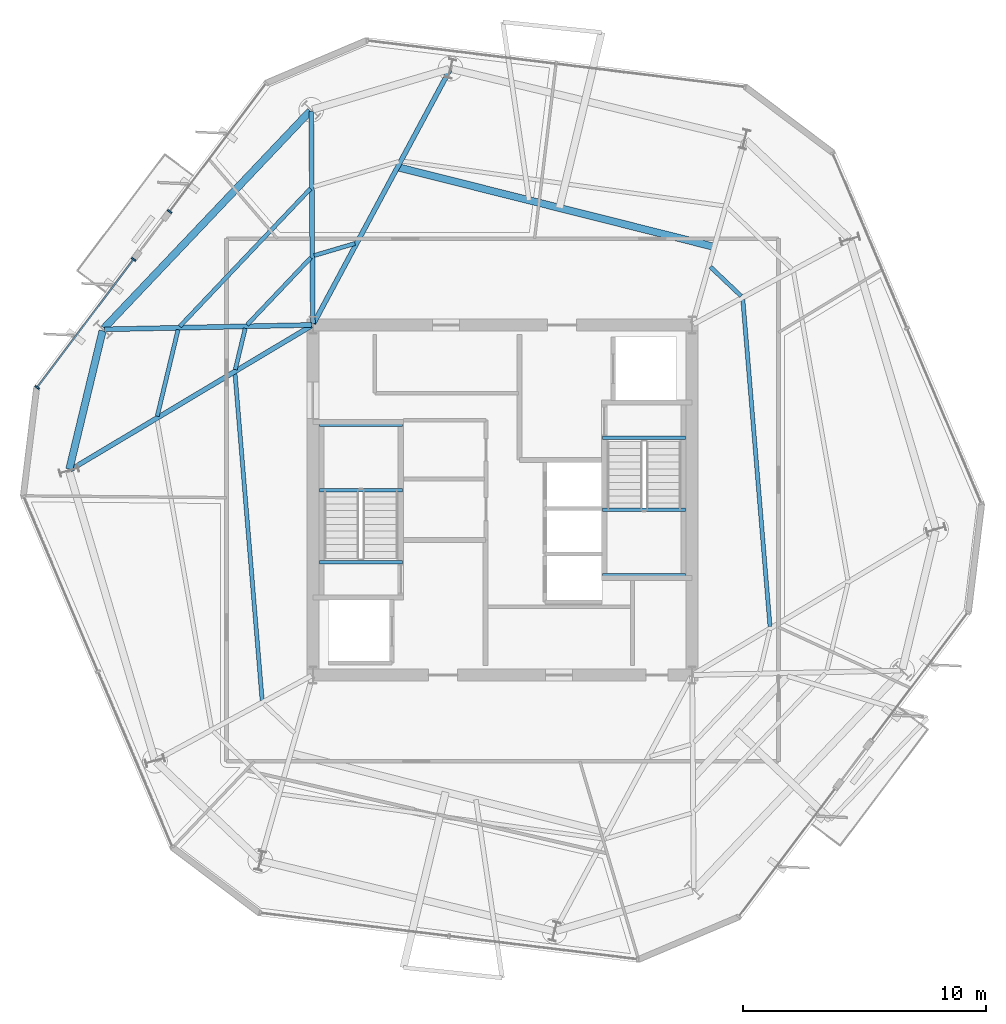
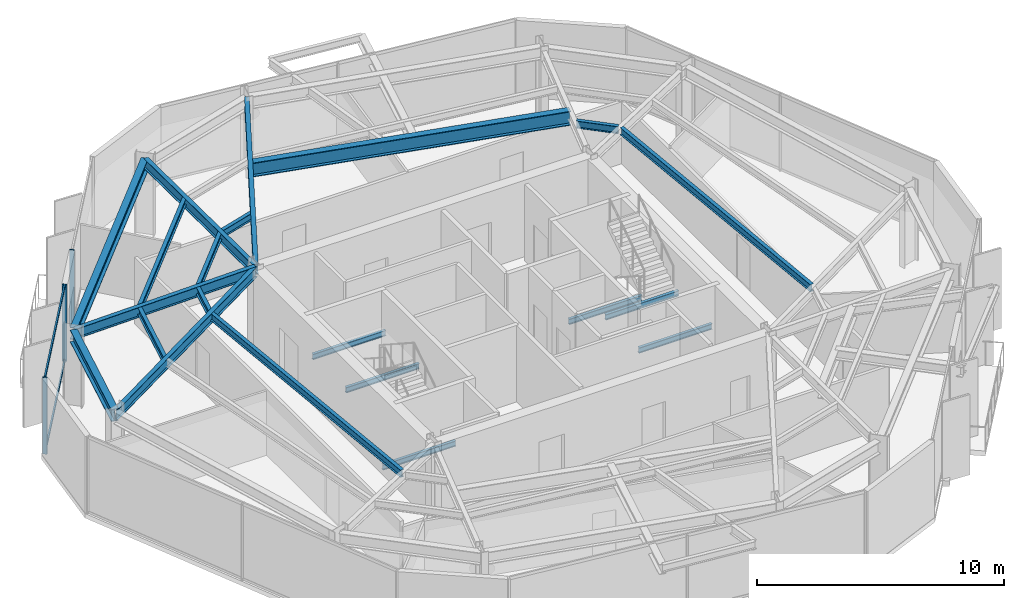
# One storey, part 4 of 12: 21 beams, 5 members, 2 elements without a shape of their own.
"""IFC4 building model written with IfcOpenShell, lengths in metres."""

from ifc_helpers import new_model, si_unit, direction, frame, origin, origin_2d, place, context, subcontext, project, spatial, rectangle, i_section, extrude, material, layer, layer_set, material_profile, profile_set, type_object, element, aggregate, save


model = new_model("IFC4")

# Units and contexts
model_context = context("Model", 3, precision=1e-05, world=origin(), true_north=direction((0.0, 1.0)))
body_context = subcontext(model_context, "Body", "Model", "MODEL_VIEW")
ifc_project = project(units=[si_unit("LENGTHUNIT", "METRE"), si_unit("AREAUNIT", "SQUARE_METRE"), si_unit("VOLUMEUNIT", "CUBIC_METRE"), si_unit("PLANEANGLEUNIT", "RADIAN"), si_unit("MASSUNIT", "GRAM", prefix="KILO")], contexts=[model_context])

# Site, building, storey
site_placement = place(None, origin())
site = spatial("IfcSite", under=ifc_project, at=site_placement, CompositionType="ELEMENT")
building_placement = place(site_placement, origin())
building = spatial("IfcBuilding", under=site, at=building_placement, Name="Kranzbogen Civic Tower", CompositionType="ELEMENT")
storey_placement = place(building_placement, frame((0.0, 0.0, 236.800048828125)))
storey = spatial("IfcBuildingStorey", under=building, at=storey_placement, Name="L57", CompositionType="ELEMENT", Elevation=236.800048828125)

# Curtain wall, member
ifc_material_1 = material(Name="Pale Anodised Aluminium", Category="aluminium")
ifc_layer = layer(ifc_material_1, 0.219970703125, Name="Pale Anodised Aluminium")
ifc_layer_set = layer_set([ifc_layer], Name="Pale Anodised Aluminium")
curtain_wall_type = type_object("IfcCurtainWallType", Name="Zone 3 Stick Curtain Wall System CW-04", PredefinedType="USERDEFINED", material=ifc_layer_set)
curtain_wall_1_placement = place(storey_placement, origin())
curtain_wall_1 = element("IfcCurtainWall", 1, at=curtain_wall_1_placement, inside=storey, type_object=curtain_wall_type, Name="L57 curtain wall CW-L57-F2-S1", ObjectType="STICK CURTAIN WALL", PredefinedType="USERDEFINED")
ifc_material_profile_1 = material_profile(ifc_material_1, rectangle(XDim=0.070068359375, YDim=0.199951171875, at=origin_2d()), Name="ALU-M 70x200")
ifc_profile_set_1 = profile_set([ifc_material_profile_1], Name="Pale Anodised Aluminium")
member_type_1 = type_object("IfcMemberType", Name="Curtain Wall Mullion ALU-M 70x200", PredefinedType="MULLION", material=ifc_profile_set_1)
member_1_placement = place(storey_placement, frame((11.30810546875, 36.85791015625, 0.0), z_axis=(0.0, 0.0, 1.0), x_axis=(-0.601777999064, -0.798663408353, 0.0)))
member_1 = element("IfcMember", 2, at=member_1_placement, type_object=member_type_1, Name="CW-04 mullion 2", PredefinedType="MULLION", context=body_context, shape_type="SweptSolid", body=[
    extrude(rectangle(XDim=0.070068359375, YDim=0.199951171875, at=origin_2d()), origin(), (0.0, 0.0, 1.0), 3.780029296875),
])
aggregate(curtain_wall_1, [member_1])

# Curtain wall, members
curtain_wall_2_placement = place(storey_placement, origin())
curtain_wall_2 = element("IfcCurtainWall", 3, at=curtain_wall_2_placement, inside=storey, type_object=curtain_wall_type, Name="L57 curtain wall CW-L57-F2-S2", ObjectType="STICK CURTAIN WALL", PredefinedType="USERDEFINED")
member_2_placement = place(storey_placement, frame((9.826904296875, 34.89306640625, 0.0), z_axis=(0.0, 0.0, 1.0), x_axis=(-0.601777999064, -0.798663408353, 0.0)))
member_2 = element("IfcMember", 4, at=member_2_placement, type_object=member_type_1, Name="CW-04 mullion 1", PredefinedType="MULLION", context=body_context, shape_type="SweptSolid", body=[
    extrude(rectangle(XDim=0.070068359375, YDim=0.199951171875, at=origin_2d()), origin(), (0.0, 0.0, 1.0), 3.780029296875),
])
member_3_placement = place(storey_placement, frame((5.859130859375, 29.626953125, 0.0), z_axis=(0.0, 0.0, 1.0), x_axis=(-0.601777999064, -0.798663408353, 0.0)))
member_3 = element("IfcMember", 5, at=member_3_placement, type_object=member_type_1, Name="CW-04 mullion 2", PredefinedType="MULLION", context=body_context, shape_type="SweptSolid", body=[
    extrude(rectangle(XDim=0.070068359375, YDim=0.199951171875, at=origin_2d()), origin(), (0.0, 0.0, 1.0), 3.780029296875),
])
ifc_material_profile_2 = material_profile(ifc_material_1, rectangle(XDim=0.070068359375, YDim=0.14990234375, at=origin_2d()), Name="ALU-T 70x150")
ifc_profile_set_2 = profile_set([ifc_material_profile_2], Name="Pale Anodised Aluminium")
member_type_2 = type_object("IfcMemberType", Name="Curtain Wall Transom ALU-T 70x150", PredefinedType="USERDEFINED", material=ifc_profile_set_2)
member_4_placement = place(storey_placement, frame((9.808837890625, 34.869140625, 0.030029296875), z_axis=(-0.601756289922, -0.798679765325, 0.0), x_axis=(0.798679765325, -0.601756289922, 0.0)))
member_4 = element("IfcMember", 6, at=member_4_placement, type_object=member_type_2, Name="CW-04 transom 1.1", ObjectType="TRANSOM", PredefinedType="USERDEFINED", context=body_context, shape_type="SweptSolid", body=[
    extrude(rectangle(XDim=0.070068359375, YDim=0.14990234375, at=origin_2d()), origin(), (0.0, 0.0, 1.0), 6.53369140625),
])
member_5_placement = place(storey_placement, frame((9.808837890625, 34.869140625, 3.75), z_axis=(-0.601756289922, -0.798679765325, 0.0), x_axis=(0.798679765325, -0.601756289922, 0.0)))
member_5 = element("IfcMember", 7, at=member_5_placement, type_object=member_type_2, Name="CW-04 transom 1.2", ObjectType="TRANSOM", PredefinedType="USERDEFINED", context=body_context, shape_type="SweptSolid", body=[
    extrude(rectangle(XDim=0.070068359375, YDim=0.14990234375, at=origin_2d()), origin(), (0.0, 0.0, 1.0), 6.53369140625),
])
aggregate(curtain_wall_2, [member_2, member_3, member_4, member_5])

# Beams
ifc_material_2 = material(Name="Steel S355", Category="steel")
ifc_material_profile_3 = material_profile(ifc_material_2, i_section(OverallWidth=0.300048828125, OverallDepth=0.60009765625, WebThickness=0.015380859375, FlangeThickness=0.030029296875, at=origin_2d()), Name="HEB 600")
ifc_profile_set_3 = profile_set([ifc_material_profile_3], Name="Steel S355")
beam_type_1 = type_object("IfcBeamType", Name="Perimeter Tube Spandrel Beam HEB 600", PredefinedType="SPANDREL", material=ifc_profile_set_3)
beam_1_placement = place(storey_placement, frame((17.092041015625, 41.0, 3.47998046875), z_axis=(-0.688373497874, -0.725356414065, 0.0), x_axis=(0.725356414065, -0.688373497874, 0.0)))
element("IfcBeam", 8, at=beam_1_placement, inside=storey, type_object=beam_type_1, Name="L57 perimeter spandrel beam 10", PredefinedType="SPANDREL", context=body_context, shape_type="SweptSolid", body=[
    extrude(i_section(OverallWidth=0.300048828125, OverallDepth=0.60009765625, WebThickness=0.015380859375, FlangeThickness=0.030029296875, at=origin_2d()), origin(), (0.0, 0.0, 1.0), 12.324951171875),
])
beam_2_placement = place(storey_placement, frame((8.552978515625, 31.9580078125, 3.47998046875), z_axis=(-0.233554380434, -0.972343741369, 0.0), x_axis=(0.972343741369, -0.233554380434, 0.0)))
element("IfcBeam", 9, at=beam_2_placement, inside=storey, type_object=beam_type_1, Name="L57 perimeter spandrel beam 11", PredefinedType="SPANDREL", context=body_context, shape_type="SweptSolid", body=[
    extrude(i_section(OverallWidth=0.300048828125, OverallDepth=0.60009765625, WebThickness=0.015380859375, FlangeThickness=0.030029296875, at=origin_2d()), origin(), (0.0, 0.0, 1.0), 5.852783203125),
])
ifc_material_profile_4 = material_profile(ifc_material_2, i_section(OverallWidth=0.300048828125, OverallDepth=0.699951171875, WebThickness=0.01708984375, FlangeThickness=0.031982421875, at=origin_2d()), Name="HEB 700")
ifc_profile_set_4 = profile_set([ifc_material_profile_4], Name="Steel S355")
beam_type_2 = type_object("IfcBeamType", Name="Perimeter Tube Spandrel Beam HEB 700", PredefinedType="SPANDREL", material=ifc_profile_set_4)
beam_3_placement = place(storey_placement, frame((33.7080078125, 35.408935546875, 3.39990234375), z_axis=(-0.969754167823, 0.244083702834, 0.0), x_axis=(-0.244083702834, -0.969754167823, 0.0)))
element("IfcBeam", 10, at=beam_3_placement, inside=storey, type_object=beam_type_2, Name="L58 balcony back-span header girder L58-TB2", PredefinedType="SPANDREL", context=body_context, shape_type="SweptSolid", body=[
    extrude(i_section(OverallWidth=0.300048828125, OverallDepth=0.699951171875, WebThickness=0.01708984375, FlangeThickness=0.031982421875, at=origin_2d()), origin(), (0.0, 0.0, 1.0), 13.43017578125),
])
ifc_material_profile_5 = material_profile(ifc_material_2, i_section(OverallWidth=0.199951171875, OverallDepth=0.5, WebThickness=0.01025390625, FlangeThickness=0.01611328125, at=origin_2d()), Name="IPE 500")
ifc_profile_set_5 = profile_set([ifc_material_profile_5], Name="Steel S355")
beam_type_3 = type_object("IfcBeamType", Name="Radial Tower Floor Girder IPE 500", PredefinedType="BEAM", material=ifc_profile_set_5)
beam_4_placement = place(storey_placement, frame((22.83203125, 42.68701171875, 3.530029296875), z_axis=(-0.473160413549, -0.880976289721, 0.0), x_axis=(0.880976289721, -0.473160413549, 0.0)))
element("IfcBeam", 11, at=beam_4_placement, inside=storey, type_object=beam_type_3, Name="L57 radial floor girder 09", PredefinedType="BEAM", context=body_context, shape_type="SweptSolid", body=[
    extrude(i_section(OverallWidth=0.199951171875, OverallDepth=0.5, WebThickness=0.01025390625, FlangeThickness=0.01611328125, at=origin_2d()), origin(), (0.0, 0.0, 1.0), 11.84375),
])
beam_5_placement = place(storey_placement, frame((17.133056640625, 40.98388671875, 3.530029296875), z_axis=(0.007667756557, -0.999970602323, 0.0), x_axis=(0.999970602323, 0.007667756557, 0.0)))
element("IfcBeam", 12, at=beam_5_placement, inside=storey, type_object=beam_type_3, Name="L57 radial floor girder 10", PredefinedType="BEAM", context=body_context, shape_type="SweptSolid", body=[
    extrude(i_section(OverallWidth=0.199951171875, OverallDepth=0.5, WebThickness=0.01025390625, FlangeThickness=0.01611328125, at=origin_2d()), origin(), (0.0, 0.0, 1.0), 8.72412109375),
])
beam_6_placement = place(storey_placement, frame((8.626953125, 32.01708984375, 3.530029296875), z_axis=(0.99977183191, 0.021360808018, 0.0), x_axis=(-0.021360808018, 0.99977183191, 0.0)))
element("IfcBeam", 13, at=beam_6_placement, inside=storey, type_object=beam_type_3, Name="L57 radial floor girder 11", PredefinedType="BEAM", context=body_context, shape_type="SweptSolid", body=[
    extrude(i_section(OverallWidth=0.199951171875, OverallDepth=0.5, WebThickness=0.01025390625, FlangeThickness=0.01611328125, at=origin_2d()), origin(), (0.0, 0.0, 1.0), 8.514892578125),
])
beam_7_placement = place(storey_placement, frame((7.22412109375, 26.239990234375, 3.530029296875), z_axis=(0.858458551809, 0.512882944565, 0.0), x_axis=(-0.512882944565, 0.858458551809, 0.0)))
element("IfcBeam", 14, at=beam_7_placement, inside=storey, type_object=beam_type_3, Name="L57 radial floor girder 12", PredefinedType="BEAM", context=body_context, shape_type="SweptSolid", body=[
    extrude(i_section(OverallWidth=0.199951171875, OverallDepth=0.5, WebThickness=0.01025390625, FlangeThickness=0.01611328125, at=origin_2d()), origin(), (0.0, 0.0, 1.0), 11.56005859375),
])
ifc_material_profile_6 = material_profile(ifc_material_2, i_section(OverallWidth=0.169921875, OverallDepth=0.360107421875, WebThickness=0.008056640625, FlangeThickness=0.0126953125, at=origin_2d()), Name="IPE 360")
ifc_profile_set_6 = profile_set([ifc_material_profile_6], Name="Steel S355")
beam_type_4 = type_object("IfcBeamType", Name="Secondary Composite Floor Joist IPE 360", PredefinedType="JOIST", material=ifc_profile_set_6)
beam_8_placement = place(storey_placement, frame((36.001953125, 19.797119140625, 3.599853515625), z_axis=(-0.082825426692, 0.996564071544, 0.0), x_axis=(-0.996564071544, -0.082825426692, 0.0)))
element("IfcBeam", 15, at=beam_8_placement, inside=storey, type_object=beam_type_4, Name="L57 secondary floor joist 2.06", PredefinedType="JOIST", context=body_context, shape_type="SweptSolid", body=[
    extrude(i_section(OverallWidth=0.169921875, OverallDepth=0.360107421875, WebThickness=0.008056640625, FlangeThickness=0.0126953125, at=origin_2d()), origin(), (0.0, 0.0, 1.0), 13.497314453125),
])
beam_9_placement = place(storey_placement, frame((34.820068359375, 33.383056640625, 3.599853515625), z_axis=(-0.725479767774, 0.688243493649, 0.0), x_axis=(-0.688243493649, -0.725479767774, 0.0)))
element("IfcBeam", 16, at=beam_9_placement, inside=storey, type_object=beam_type_4, Name="L57 secondary floor joist 2.07", PredefinedType="JOIST", context=body_context, shape_type="SweptSolid", body=[
    extrude(i_section(OverallWidth=0.169921875, OverallDepth=0.360107421875, WebThickness=0.008056640625, FlangeThickness=0.0126953125, at=origin_2d()), origin(), (0.0, 0.0, 1.0), 1.75048828125),
])
beam_10_placement = place(storey_placement, frame((18.93408203125, 35.550048828125, 3.599853515625), z_axis=(-0.958871214757, -0.283841493638, 0.0), x_axis=(0.283841493638, -0.958871214757, 0.0)))
element("IfcBeam", 17, at=beam_10_placement, inside=storey, type_object=beam_type_4, Name="L57 secondary floor joist 2.09", PredefinedType="JOIST", context=body_context, shape_type="SweptSolid", body=[
    extrude(i_section(OverallWidth=0.169921875, OverallDepth=0.360107421875, WebThickness=0.008056640625, FlangeThickness=0.0126953125, at=origin_2d()), origin(), (0.0, 0.0, 1.0), 1.751220703125),
])
beam_11_placement = place(storey_placement, frame((17.10205078125, 37.802001953125, 3.599853515625), z_axis=(-0.688282381634, -0.725442873789, 0.0), x_axis=(0.725442873789, -0.688282381634, 0.0)))
element("IfcBeam", 18, at=beam_11_placement, inside=storey, type_object=beam_type_4, Name="L57 secondary floor joist 1.10", PredefinedType="JOIST", context=body_context, shape_type="SweptSolid", body=[
    extrude(i_section(OverallWidth=0.169921875, OverallDepth=0.360107421875, WebThickness=0.008056640625, FlangeThickness=0.0126953125, at=origin_2d()), origin(), (0.0, 0.0, 1.0), 7.804931640625),
])
beam_12_placement = place(storey_placement, frame((17.123046875, 34.971923828125, 3.599853515625), z_axis=(-0.688175084876, -0.725544659243, 0.0), x_axis=(0.725544659243, -0.688175084876, 0.0)))
element("IfcBeam", 19, at=beam_12_placement, inside=storey, type_object=beam_type_4, Name="L57 secondary floor joist 2.10", PredefinedType="JOIST", context=body_context, shape_type="SweptSolid", body=[
    extrude(i_section(OverallWidth=0.169921875, OverallDepth=0.360107421875, WebThickness=0.008056640625, FlangeThickness=0.0126953125, at=origin_2d()), origin(), (0.0, 0.0, 1.0), 3.82177734375),
])
beam_13_placement = place(storey_placement, frame((11.656005859375, 32.00390625, 3.599853515625), z_axis=(-0.233534367714, -0.972348548154, 0.0), x_axis=(0.972348548154, -0.233534367714, 0.0)))
element("IfcBeam", 20, at=beam_13_placement, inside=storey, type_object=beam_type_4, Name="L57 secondary floor joist 1.11", PredefinedType="JOIST", context=body_context, shape_type="SweptSolid", body=[
    extrude(i_section(OverallWidth=0.169921875, OverallDepth=0.360107421875, WebThickness=0.008056640625, FlangeThickness=0.0126953125, at=origin_2d()), origin(), (0.0, 0.0, 1.0), 3.6611328125),
])
beam_14_placement = place(storey_placement, frame((14.4189453125, 32.06298828125, 3.599853515625), z_axis=(-0.233631438607, -0.972325228972, 0.0), x_axis=(0.972325228972, -0.233631438607, 0.0)))
element("IfcBeam", 21, at=beam_14_placement, inside=storey, type_object=beam_type_4, Name="L57 secondary floor joist 2.11", PredefinedType="JOIST", context=body_context, shape_type="SweptSolid", body=[
    extrude(i_section(OverallWidth=0.169921875, OverallDepth=0.360107421875, WebThickness=0.008056640625, FlangeThickness=0.0126953125, at=origin_2d()), origin(), (0.0, 0.0, 1.0), 1.750244140625),
])
beam_15_placement = place(storey_placement, frame((13.998046875, 30.202880859375, 3.599853515625), z_axis=(0.082825426692, -0.996564071544, 0.0), x_axis=(0.996564071544, 0.082825426692, 0.0)))
element("IfcBeam", 22, at=beam_15_placement, inside=storey, type_object=beam_type_4, Name="L57 secondary floor joist 2.12", PredefinedType="JOIST", context=body_context, shape_type="SweptSolid", body=[
    extrude(i_section(OverallWidth=0.169921875, OverallDepth=0.360107421875, WebThickness=0.008056640625, FlangeThickness=0.0126953125, at=origin_2d()), origin(), (0.0, 0.0, 1.0), 13.497314453125),
])
ifc_material_profile_7 = material_profile(ifc_material_2, i_section(OverallWidth=0.135009765625, OverallDepth=0.27001953125, WebThickness=0.006591796875, FlangeThickness=0.01025390625, at=origin_2d()), Name="IPE 270")
ifc_profile_set_7 = profile_set([ifc_material_profile_7], Name="Steel S355")
beam_type_5 = type_object("IfcBeamType", Name="Stair Landing Support Beam IPE 270", PredefinedType="JOIST", material=ifc_profile_set_7)
for number, where, z_axis, x_axis, name in (
    (23, (20.8798828125, 22.43994140625, -0.35498046875), (-1.0, 0.0, 0.0), (0.0, -1.0, 0.0), "L57 ST-T1 stair floor header beam"),
    (24, (20.8798828125, 25.39990234375, 1.6650390625), (-1.0, 0.0, 0.0), (0.0, -1.0, 0.0), "L57 ST-T1 landing support beam 1.1"),
    (25, (20.8798828125, 28.10009765625, 1.6650390625), (-1.0, 0.0, 0.0), (0.0, -1.0, 0.0), "L57 ST-T1 landing support beam 1.2"),
    (26, (29.1201171875, 27.56005859375, -0.35498046875), (1.0, 0.0, 0.0), (0.0, 1.0, 0.0), "L57 ST-T2 stair floor header beam"),
    (27, (29.1201171875, 24.60009765625, 1.6650390625), (1.0, 0.0, 0.0), (0.0, 1.0, 0.0), "L57 ST-T2 landing support beam 1.1"),
    (28, (29.1201171875, 21.89990234375, 1.6650390625), (1.0, 0.0, 0.0), (0.0, 1.0, 0.0), "L57 ST-T2 landing support beam 1.2"),
):
    element("IfcBeam", number, at=place(storey_placement, frame(where, z_axis=z_axis, x_axis=x_axis)), inside=storey, type_object=beam_type_5, Name=name, PredefinedType="JOIST", context=body_context, shape_type="SweptSolid", body=[
        extrude(i_section(OverallWidth=0.135009765625, OverallDepth=0.27001953125, WebThickness=0.006591796875, FlangeThickness=0.01025390625, at=origin_2d()), origin(), (0.0, 0.0, 1.0), 3.409912109375),
    ])

save(model, "model.ifc")
